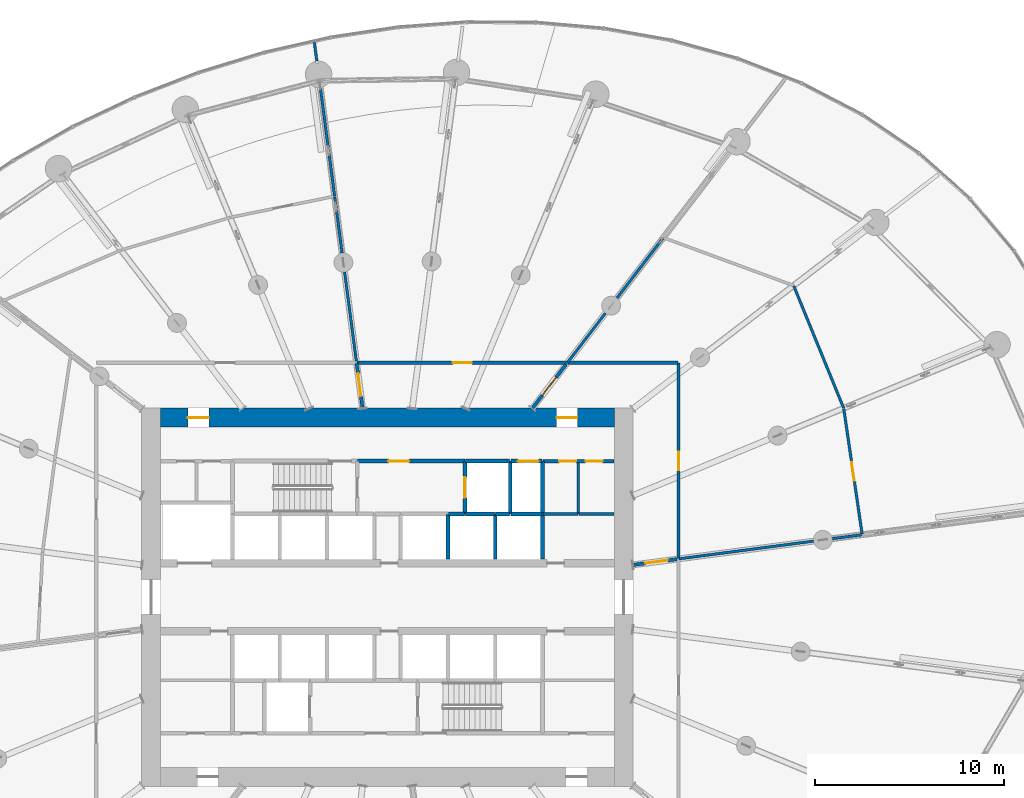
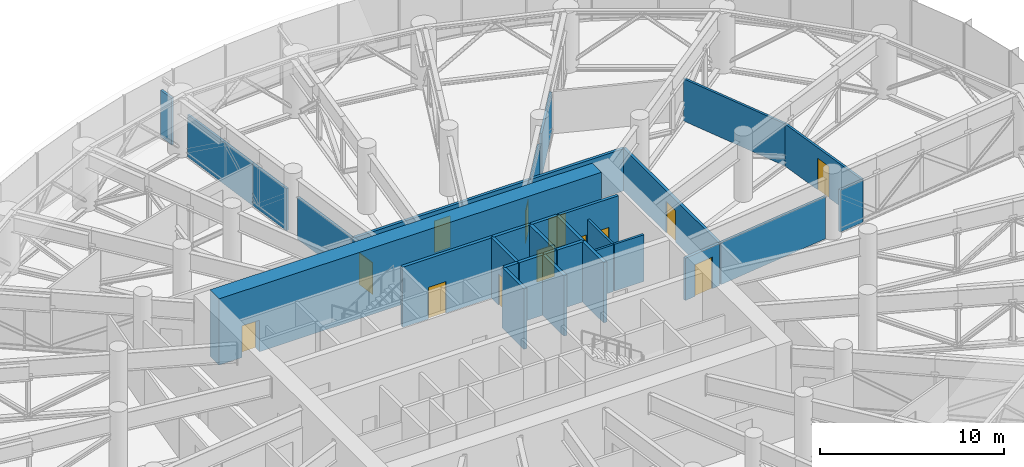
# One storey, part 24 of 42: 34 walls, 13 doors, 13 openings.
"""IFC4 building model written with IfcOpenShell, lengths in metres."""

import ifcopenshell
import ifcopenshell.guid

model = None  # the IFC model being written
_history = None  # IfcOwnerHistory: only IFC2X3 demands one
_inside = {}  # id of a spatial element -> (the spatial element, [elements in it])
_under = {}  # id of a project, library or spatial element -> (it, [spatial elements below it])
_declared = {}  # id of a project -> (the project, [libraries it declares])
_typed = {}  # id of a type object -> (the type object, [elements of that type])
_made_of = {}  # id of a material, layer set ... -> (it, [elements and type objects made of it])


def new_model(schema):
    """Start an empty IFC model of exactly this schema.

    Asked for "IFC4X3", IfcOpenShell would pick the latest addendum, in which some entities
    have other attributes; the version numbers below select the first issue.
    IFC2X3 requires an IfcOwnerHistory on every rooted entity: one is made here for all.
    """
    global model, _history
    if schema == "IFC4X3":
        model = ifcopenshell.file(schema_version=(4, 3, 0, 0))
    else:
        model = ifcopenshell.file(schema=schema)
    _inside.clear()
    _under.clear()
    _declared.clear()
    _typed.clear()
    _made_of.clear()
    _history = None
    if model.schema == "IFC2X3":
        org = make("IfcOrganization", Name="unknown")
        user = make(
            "IfcPersonAndOrganization",
            ThePerson=make("IfcPerson", FamilyName="unknown"),
            TheOrganization=org,
        )
        app = make(
            "IfcApplication",
            ApplicationDeveloper=org,
            Version="unknown",
            ApplicationFullName="unknown",
            ApplicationIdentifier="unknown",
        )
        _history = make(
            "IfcOwnerHistory",
            OwningUser=user,
            OwningApplication=app,
            ChangeAction="ADDED",
            CreationDate=0,
        )
    return model


def make(cls, **values):
    """One entity of the class cls with the attributes given. An attribute that is None is left unset."""
    return model.create_entity(
        cls, **{name: value for name, value in values.items() if value is not None}
    )


def rooted(cls, **values):
    """An entity with a GlobalId (a new one), such as an element, a storey or a relation."""
    return make(cls, GlobalId=ifcopenshell.guid.new(), OwnerHistory=_history, **values)


def si_unit(unit_type, name, prefix=None):
    """IfcSIUnit, for example si_unit("LENGTHUNIT", "METRE", prefix="MILLI")."""
    return make("IfcSIUnit", UnitType=unit_type, Prefix=prefix, Name=name)


def assignment(units):
    """IfcUnitAssignment: the units of a project."""
    return None if units is None else make("IfcUnitAssignment", Units=units)


def point(xyz):
    """IfcCartesianPoint."""
    return None if xyz is None else make("IfcCartesianPoint", Coordinates=xyz)


def direction(xyz):
    """IfcDirection."""
    return None if xyz is None else make("IfcDirection", DirectionRatios=xyz)


def frame(location, z_axis=None, x_axis=None):
    """IfcAxis2Placement3D, a coordinate frame: its origin and axes. An axis left out is left unset."""
    return make(
        "IfcAxis2Placement3D",
        Location=point(location),
        Axis=direction(z_axis),
        RefDirection=direction(x_axis),
    )


def frame_2d(location, x_axis=None):
    """IfcAxis2Placement2D, a coordinate frame in the plane: its origin and x axis."""
    return make(
        "IfcAxis2Placement2D", Location=point(location), RefDirection=direction(x_axis)
    )


def origin():
    """The frame at (0, 0, 0) with its axes left unset."""
    return frame((0.0, 0.0, 0.0))


def place(relative_to, where):
    """IfcLocalPlacement: puts the frame where relative to a parent placement (None: the world)."""
    return make(
        "IfcLocalPlacement", PlacementRelTo=relative_to, RelativePlacement=where
    )


def context(
    kind, dimensions, precision=None, world=None, true_north=None, identifier=None
):
    """IfcGeometricRepresentationContext, for example the 3D "Model" context."""
    return make(
        "IfcGeometricRepresentationContext",
        ContextIdentifier=identifier,
        ContextType=kind,
        CoordinateSpaceDimension=dimensions,
        Precision=precision,
        WorldCoordinateSystem=world,
        TrueNorth=true_north,
    )


def subcontext(parent, identifier, kind, view, scale=None):
    """IfcGeometricRepresentationSubContext, for example "Body" below "Model"."""
    return make(
        "IfcGeometricRepresentationSubContext",
        ContextIdentifier=identifier,
        ContextType=kind,
        ParentContext=parent,
        TargetScale=scale,
        TargetView=view,
    )


def project(units=None, contexts=None):
    """IfcProject with its units and contexts."""
    return rooted(
        "IfcProject",
        Name="project",
        RepresentationContexts=contexts,
        UnitsInContext=assignment(units),
    )


def spatial(cls, under=None, at=None, **own):
    """A site, building, storey or space (cls), placed at a placement, below another one or the project."""
    s = rooted(cls, ObjectPlacement=at, **own)
    if under is not None:
        _under.setdefault(under.id(), (under, []))[1].append(s)
    return s


def profile(cls, at=None, kind="AREA", **sizes):
    """A parametric profile (cls). Its sizes go by their IFC names, for example OverallWidth=200.0."""
    return make(cls, ProfileType=kind, Position=at, **sizes)


def rectangle(**sizes):
    """IfcRectangleProfileDef."""
    return profile("IfcRectangleProfileDef", **sizes)


def extrude(swept, where, along, depth):
    """IfcExtrudedAreaSolid: the profile swept, set in the frame where, extruded along a direction by depth."""
    return make(
        "IfcExtrudedAreaSolid",
        SweptArea=swept,
        Position=where,
        ExtrudedDirection=direction(along),
        Depth=depth,
    )


def shape(context_of_items, identifier, shape_type, items):
    """IfcShapeRepresentation: the items that make up one representation, for example the "Body"."""
    return make(
        "IfcShapeRepresentation",
        ContextOfItems=context_of_items,
        RepresentationIdentifier=identifier,
        RepresentationType=shape_type,
        Items=items,
    )


def source(mapping_origin, context_of_items, identifier, shape_type, items):
    """IfcRepresentationMap: a shape defined once, which mapped items show again and again."""
    return make(
        "IfcRepresentationMap",
        MappingOrigin=mapping_origin,
        MappedRepresentation=shape(context_of_items, identifier, shape_type, items),
    )


def transform(
    local_origin,
    x_axis=None,
    y_axis=None,
    z_axis=None,
    scale=None,
    scale2=None,
    scale3=None,
    uniform=True,
):
    """IfcCartesianTransformationOperator3D, or its non-uniform kind. x_axis, y_axis, z_axis: its Axis1, 2, 3."""
    if uniform:
        return make(
            "IfcCartesianTransformationOperator3D",
            Axis1=direction(x_axis),
            Axis2=direction(y_axis),
            LocalOrigin=point(local_origin),
            Scale=scale,
            Axis3=direction(z_axis),
        )
    return make(
        "IfcCartesianTransformationOperator3DnonUniform",
        Axis1=direction(x_axis),
        Axis2=direction(y_axis),
        LocalOrigin=point(local_origin),
        Scale=scale,
        Axis3=direction(z_axis),
        Scale2=scale2,
        Scale3=scale3,
    )


def mapped(mapping_source, mapping_target):
    """IfcMappedItem: shows the shape of a source again, moved by a transform."""
    return make(
        "IfcMappedItem", MappingSource=mapping_source, MappingTarget=mapping_target
    )


def material(Name=None, Category=None):
    """IfcMaterial."""
    return make("IfcMaterial", Name=Name, Category=Category)


def layer(
    of_material, thickness, ventilated=None, Name=None, Category=None, Priority=None
):
    """IfcMaterialLayer: one layer of a wall or slab, of a material (None: an air gap)."""
    return make(
        "IfcMaterialLayer",
        Material=of_material,
        LayerThickness=thickness,
        IsVentilated=ventilated,
        Name=Name,
        Category=Category,
        Priority=Priority,
    )


def layer_set(layers, Name=None):
    """IfcMaterialLayerSet."""
    return make("IfcMaterialLayerSet", MaterialLayers=layers, LayerSetName=Name)


def made_of(thing, what):
    """Note that an element or type object is made of a material, layer set ...; save() writes the relation."""
    if what is not None:
        _made_of.setdefault(what.id(), (what, []))[1].append(thing)
    return thing


def type_object(cls, material=None, **own):
    """A type object (cls), such as IfcWallType, which elements share."""
    return made_of(rooted(cls, **own), material)


def element(
    cls,
    number,
    at=None,
    inside=None,
    cuts=None,
    type_object=None,
    material=None,
    context=None,
    identifier="Body",
    shape_type=None,
    held_by="IfcProductDefinitionShape",
    body=None,
    shapes=None,
    **own,
):
    """One element of the class cls, such as IfcWall. Its Tag is "e" and its number.

    at: its placement. inside: the storey or other place that contains it. cuts: it is an
    opening in that element (IfcRelVoidsElement). A single representation is given by context,
    identifier, shape_type and body (its items); several are given by shapes. held_by: the class
    of the entity that holds the representations. save() writes the other relations.
    """
    e = rooted(cls, Tag="e%d" % number, ObjectPlacement=at, **own)
    if body is not None:
        shapes = [shape(context, identifier, shape_type, body)]
    if shapes is not None:
        e.Representation = make(held_by, Representations=shapes)
    if inside is not None:
        _inside.setdefault(inside.id(), (inside, []))[1].append(e)
    if cuts is not None:
        rooted(
            "IfcRelVoidsElement", RelatingBuildingElement=cuts, RelatedOpeningElement=e
        )
    if type_object is not None:
        _typed.setdefault(type_object.id(), (type_object, []))[1].append(e)
    return made_of(e, material)


def fill(opening, filler):
    """IfcRelFillsElement: the door or window that sits in an opening."""
    return rooted(
        "IfcRelFillsElement",
        RelatingOpeningElement=opening,
        RelatedBuildingElement=filler,
    )


def aggregate(whole, parts):
    """IfcRelAggregates: a whole, such as a stair, and the parts it consists of."""
    return rooted("IfcRelAggregates", RelatingObject=whole, RelatedObjects=parts)


def save(model, path):
    """Write the relations noted so far, then the file.

    IfcRelAggregates (storeys below a building ...), IfcRelContainedInSpatialStructure (elements
    in a storey), IfcRelDefinesByType, IfcRelAssociatesMaterial and IfcRelDeclares: one each for
    every whole, place, type object, material and project.
    """
    for whole, parts in _under.values():
        aggregate(whole, parts)
    for where, things in _inside.values():
        rooted(
            "IfcRelContainedInSpatialStructure",
            RelatedElements=things,
            RelatingStructure=where,
        )
    for kind, things in _typed.values():
        rooted("IfcRelDefinesByType", RelatedObjects=things, RelatingType=kind)
    for what, things in _made_of.values():
        rooted("IfcRelAssociatesMaterial", RelatedObjects=things, RelatingMaterial=what)
    for by, libraries in _declared.values():
        rooted("IfcRelDeclares", RelatingContext=by, RelatedDefinitions=libraries)
    model.write(path)


model = new_model("IFC4")

# Units and contexts
model_context = context("Model", 3, precision=1e-05, world=origin(), true_north=direction((0.0, 1.0)))
body_context = subcontext(model_context, "Body", "Model", "MODEL_VIEW")
ifc_project = project(units=[si_unit("LENGTHUNIT", "METRE"), si_unit("AREAUNIT", "SQUARE_METRE"), si_unit("VOLUMEUNIT", "CUBIC_METRE"), si_unit("PLANEANGLEUNIT", "RADIAN"), si_unit("MASSUNIT", "GRAM", prefix="KILO")], contexts=[model_context])

# Site, building, storey
site_placement = place(None, origin())
site = spatial("IfcSite", under=ifc_project, at=site_placement, CompositionType="ELEMENT")
building_placement = place(site_placement, origin())
building = spatial("IfcBuilding", under=site, at=building_placement, Name="Spindrift Exchange Tower", CompositionType="ELEMENT")
storey_placement = place(building_placement, frame((0.0, 0.0, 75.39990234375)))
storey = spatial("IfcBuildingStorey", under=building, at=storey_placement, Name="L17", CompositionType="ELEMENT", Elevation=75.39990234375)

# Wall, openings, doors
ifc_material_1 = material(Name="Concrete 80 MPa", Category="concrete")
ifc_layer_1 = layer(ifc_material_1, 1.0)
ifc_layer_set_1 = layer_set([ifc_layer_1], Name="RC Core Wall 1000 Concrete 80 MPa")
wall_type_1 = type_object("IfcWallType", Name="RC Core Wall 1000 Concrete 80 MPa", PredefinedType="SHEAR", material=ifc_layer_set_1)
wall_1_placement = place(storey_placement, frame((64.0, 57.5, 0.0), z_axis=(0.0, 0.0, 1.0), x_axis=(-1.0, 0.0, 0.0)))
wall_1 = element("IfcWall", 1, at=wall_1_placement, inside=storey, type_object=wall_type_1, Name="Core wall N L17", PredefinedType="SHEAR", context=body_context, shape_type="SweptSolid", body=[
    extrude(rectangle(XDim=24.0, YDim=1.0, at=frame_2d((12.0, 0.0))), origin(), (0.0, 0.0, 1.0), 4.400146484375),
])
opening_1_placement = place(wall_1_placement, frame((21.449951171875, 0.0, 0.0)))
opening_1 = element("IfcOpeningElement", 2, at=opening_1_placement, cuts=wall_1, Name="Opening L17-D14", PredefinedType="OPENING", context=body_context, shape_type="SweptSolid", body=[
    extrude(rectangle(XDim=1.10009765625, YDim=2.10009765625, at=frame_2d((0.550048828125, 1.050048828125))), frame((0.0, 0.510009765625, 0.0), z_axis=(0.0, -1.0, 0.0), x_axis=(1.0, 0.0, 0.0)), (0.0, 0.0, 1.0), 1.02001953125),
])
opening_2_placement = place(wall_1_placement, frame((1.949951171875, 0.0, 0.0)))
opening_2 = element("IfcOpeningElement", 3, at=opening_2_placement, cuts=wall_1, Name="Opening L17-D15", PredefinedType="OPENING", context=body_context, shape_type="SweptSolid", body=[
    extrude(rectangle(XDim=1.10009765625, YDim=2.10009765625, at=frame_2d((0.550048828125, 1.050048828125))), frame((0.0, 0.510009765625, 0.0), z_axis=(0.0, -1.0, 0.0), x_axis=(1.0, 0.0, 0.0)), (0.0, 0.0, 1.0), 1.02001953125),
])
ifc_material_2 = material(Name="Steel fire door", Category="steel")
door_type_1 = type_object("IfcDoorType", Name="DR-STAIR-1100", OperationType="NOTDEFINED", PredefinedType="DOOR", material=ifc_material_2)
shared_shape_1 = source(origin(), body_context, "Body", "SweptSolid", [
    extrude(rectangle(XDim=1.10009765625, YDim=2.10009765625, at=frame_2d((0.550048828125, 1.050048828125))), frame((0.0, 0.02490234375, 0.0), z_axis=(0.0, -1.0, 0.0), x_axis=(1.0, 0.0, 0.0)), (0.0, 0.0, 1.0), 0.050048828125),
])
door_1_placement = place(opening_1_placement, origin())
door_1 = element("IfcDoor", 4, at=door_1_placement, inside=storey, type_object=door_type_1, Name="L17 Stair door 14", OperationType="SINGLE_SWING_LEFT", OverallHeight=2.10009765625, OverallWidth=1.10009765625, PredefinedType="DOOR", context=body_context, shape_type="MappedRepresentation", body=[
    mapped(shared_shape_1, transform((0.0, 0.0, 0.0), scale=1.0)),
])
fill(opening_1, door_1)
door_2_placement = place(opening_2_placement, origin())
door_2 = element("IfcDoor", 5, at=door_2_placement, inside=storey, type_object=door_type_1, Name="L17 Stair door 15", OperationType="SINGLE_SWING_RIGHT", OverallHeight=2.10009765625, OverallWidth=1.10009765625, PredefinedType="DOOR", context=body_context, shape_type="MappedRepresentation", body=[
    mapped(shared_shape_1, transform((0.0, 0.0, 0.0), scale=1.0)),
])
fill(opening_2, door_2)

ifc_material_3 = material(Name="Fire-rated plasterboard partition", Category="gypsum")
ifc_layer_2 = layer(ifc_material_3, 0.179931640625)
ifc_layer_set_2 = layer_set([ifc_layer_2], Name="W-CORR-180")
wall_type_2 = type_object("IfcWallType", Name="W-CORR-180", PredefinedType="PARTITIONING", material=ifc_layer_set_2)
wall_2_placement = place(storey_placement, frame((63.97998046875, 55.199951171875, 0.0), z_axis=(0.0, 0.0, 1.0), x_axis=(-1.0, 0.0, 0.0)))
wall_2 = element("IfcWall", 6, at=wall_2_placement, inside=storey, type_object=wall_type_2, Name="L17 Partition wall 70", PredefinedType="PARTITIONING", context=body_context, shape_type="SweptSolid", body=[
    extrude(rectangle(XDim=3.75, YDim=0.179931640625, at=frame_2d((1.875, 0.0))), origin(), (0.0, 0.0, 1.0), 4.0),
])
opening_3_placement = place(wall_2_placement, frame((2.0, 0.0, 0.0)))
opening_3 = element("IfcOpeningElement", 7, at=opening_3_placement, cuts=wall_2, Name="Opening L17-D45", PredefinedType="OPENING", context=body_context, shape_type="SweptSolid", body=[
    extrude(rectangle(XDim=0.89990234375, YDim=2.10009765625, at=frame_2d((0.449951171875, 1.050048828125))), frame((0.0, 0.099853515625, 0.0), z_axis=(0.0, -1.0, 0.0), x_axis=(1.0, 0.0, 0.0)), (0.0, 0.0, 1.0), 0.199951171875),
])
opening_4_placement = place(wall_2_placement, frame((0.60009765625, 0.0, 0.0)))
opening_4 = element("IfcOpeningElement", 8, at=opening_4_placement, cuts=wall_2, Name="Opening L17-D46", PredefinedType="OPENING", context=body_context, shape_type="SweptSolid", body=[
    extrude(rectangle(XDim=0.89990234375, YDim=2.10009765625, at=frame_2d((0.449951171875, 1.050048828125))), frame((0.0, 0.099853515625, 0.0), z_axis=(0.0, -1.0, 0.0), x_axis=(1.0, 0.0, 0.0)), (0.0, 0.0, 1.0), 0.199951171875),
])
ifc_material_4 = material(Name="Steel access door", Category="steel")
door_type_2 = type_object("IfcDoorType", Name="DR-RISER-900", OperationType="NOTDEFINED", PredefinedType="DOOR", material=ifc_material_4)
shared_shape_2 = source(origin(), body_context, "Body", "SweptSolid", [
    extrude(rectangle(XDim=0.89990234375, YDim=2.10009765625, at=frame_2d((0.449951171875, 1.050048828125))), frame((0.0, 0.02490234375, 0.0), z_axis=(0.0, -1.0, 0.0), x_axis=(1.0, 0.0, 0.0)), (0.0, 0.0, 1.0), 0.050048828125),
])
door_3_placement = place(opening_3_placement, origin())
door_3 = element("IfcDoor", 9, at=door_3_placement, inside=storey, type_object=door_type_2, Name="L17 Riser door 45", OperationType="SINGLE_SWING_RIGHT", OverallHeight=2.10009765625, OverallWidth=0.89990234375, PredefinedType="DOOR", context=body_context, shape_type="MappedRepresentation", body=[
    mapped(shared_shape_2, transform((0.0, 0.0, 0.0), scale=1.0)),
])
fill(opening_3, door_3)
door_4_placement = place(opening_4_placement, origin())
door_4 = element("IfcDoor", 10, at=door_4_placement, inside=storey, type_object=door_type_2, Name="L17 Riser door 46", OperationType="SINGLE_SWING_LEFT", OverallHeight=2.10009765625, OverallWidth=0.89990234375, PredefinedType="DOOR", context=body_context, shape_type="MappedRepresentation", body=[
    mapped(shared_shape_2, transform((0.0, 0.0, 0.0), scale=1.0)),
])
fill(opening_4, door_4)

# Wall, opening, door
ifc_layer_3 = layer(ifc_material_3, 0.179931640625)
ifc_layer_set_3 = layer_set([ifc_layer_3], Name="W-CORR-180-SOFFIT")
wall_type_3 = type_object("IfcWallType", Name="W-CORR-180-SOFFIT", PredefinedType="PARTITIONING", material=ifc_layer_set_3)
wall_3_placement = place(storey_placement, frame((61.44580078125, 60.31005859375, 0.0), z_axis=(0.0, 0.0, 1.0), x_axis=(-0.608737787706, -0.793371480341, 0.0)))
wall_3 = element("IfcWall", 11, at=wall_3_placement, inside=storey, type_object=wall_type_3, Name="L17 Partition wall 72", PredefinedType="PARTITIONING", context=body_context, shape_type="SweptSolid", body=[
    extrude(rectangle(XDim=2.91162109375, YDim=0.179931640625, at=frame_2d((1.455810546875, 0.0))), origin(), (0.0, 0.0, 1.0), 2.800048828125),
])
opening_5_placement = place(wall_3_placement, frame((0.86181640625, 0.0, 0.0)))
opening_5 = element("IfcOpeningElement", 12, at=opening_5_placement, cuts=wall_3, Name="Opening L17-D32", PredefinedType="OPENING", context=body_context, shape_type="SweptSolid", body=[
    extrude(rectangle(XDim=1.199951171875, YDim=2.10009765625, at=frame_2d((0.60009765625, 1.050048828125))), frame((0.0, 0.099853515625, 0.0), z_axis=(0.0, -1.0, 0.0), x_axis=(1.0, 0.0, 0.0)), (0.0, 0.0, 1.0), 0.199951171875),
])
door_type_3 = type_object("IfcDoorType", Name="DR-PLANT-1200", OperationType="NOTDEFINED", PredefinedType="DOOR", material=ifc_material_2)
shared_shape_3 = source(origin(), body_context, "Body", "SweptSolid", [
    extrude(rectangle(XDim=1.199951171875, YDim=2.10009765625, at=frame_2d((0.60009765625, 1.050048828125))), frame((0.0, 0.02490234375, 0.0), z_axis=(0.0, -1.0, 0.0), x_axis=(1.0, 0.0, 0.0)), (0.0, 0.0, 1.0), 0.050048828125),
])
door_5_placement = place(opening_5_placement, origin())
door_5 = element("IfcDoor", 13, at=door_5_placement, inside=storey, type_object=door_type_3, Name="L17 Plant room door 32", OperationType="SINGLE_SWING_LEFT", OverallHeight=2.10009765625, OverallWidth=1.199951171875, PredefinedType="DOOR", context=body_context, shape_type="MappedRepresentation", body=[
    mapped(shared_shape_3, transform((0.0, 0.0, 0.0), scale=1.0)),
])
fill(opening_5, door_5)

wall_4_placement = place(storey_placement, frame((67.31005859375, 50.015625, 0.0), z_axis=(0.0, 0.0, 1.0), x_axis=(-0.991440737811, -0.130557509967, 0.0)))
wall_4 = element("IfcWall", 14, at=wall_4_placement, inside=storey, type_object=wall_type_3, Name="L17 Partition wall 73", PredefinedType="PARTITIONING", context=body_context, shape_type="SweptSolid", body=[
    extrude(rectangle(XDim=2.330078125, YDim=0.179931640625, at=frame_2d((1.1650390625, 0.0))), origin(), (0.0, 0.0, 1.0), 2.800048828125),
])
opening_6_placement = place(wall_4_placement, frame((0.47998046875, 0.0, 0.0)))
opening_6 = element("IfcOpeningElement", 15, at=opening_6_placement, cuts=wall_4, Name="Opening L17-D39", PredefinedType="OPENING", context=body_context, shape_type="SweptSolid", body=[
    extrude(rectangle(XDim=1.199951171875, YDim=2.10009765625, at=frame_2d((0.60009765625, 1.050048828125))), frame((0.0, 0.099853515625, 0.0), z_axis=(0.0, -1.0, 0.0), x_axis=(1.0, 0.0, 0.0)), (0.0, 0.0, 1.0), 0.199951171875),
])
door_6_placement = place(opening_6_placement, origin())
door_6 = element("IfcDoor", 16, at=door_6_placement, inside=storey, type_object=door_type_3, Name="L17 Plant room door 39", OperationType="SINGLE_SWING_RIGHT", OverallHeight=2.10009765625, OverallWidth=1.199951171875, PredefinedType="DOOR", context=body_context, shape_type="MappedRepresentation", body=[
    mapped(shared_shape_3, transform((0.0, 0.0, 0.0), scale=1.0)),
])
fill(opening_6, door_6)

wall_5_placement = place(storey_placement, frame((50.371337890625, 60.370361328125, 0.0), z_axis=(0.0, 0.0, 1.0), x_axis=(0.13060507681, -0.991434472828, 0.0)))
wall_5 = element("IfcWall", 17, at=wall_5_placement, inside=storey, type_object=wall_type_3, Name="L17 Partition wall 75", PredefinedType="PARTITIONING", context=body_context, shape_type="SweptSolid", body=[
    extrude(rectangle(XDim=2.390869140625, YDim=0.179931640625, at=frame_2d((1.1953125, 0.0))), origin(), (0.0, 0.0, 1.0), 2.800048828125),
])
opening_7_placement = place(wall_5_placement, frame((0.540771484375, 0.0, 0.0)))
opening_7 = element("IfcOpeningElement", 18, at=opening_7_placement, cuts=wall_5, Name="Opening L17-D33", PredefinedType="OPENING", context=body_context, shape_type="SweptSolid", body=[
    extrude(rectangle(XDim=1.199951171875, YDim=2.10009765625, at=frame_2d((0.60009765625, 1.050048828125))), frame((0.0, 0.099853515625, 0.0), z_axis=(0.0, -1.0, 0.0), x_axis=(1.0, 0.0, 0.0)), (0.0, 0.0, 1.0), 0.199951171875),
])
door_7_placement = place(opening_7_placement, origin())
door_7 = element("IfcDoor", 19, at=door_7_placement, inside=storey, type_object=door_type_3, Name="L17 Plant room door 33", OperationType="SINGLE_SWING_RIGHT", OverallHeight=2.10009765625, OverallWidth=1.199951171875, PredefinedType="DOOR", context=body_context, shape_type="MappedRepresentation", body=[
    mapped(shared_shape_3, transform((0.0, 0.0, 0.0), scale=1.0)),
])
fill(opening_7, door_7)

# Walls
ifc_layer_4 = layer(ifc_material_3, 0.139892578125)
ifc_layer_set_4 = layer_set([ifc_layer_4], Name="W-PART-140")
wall_type_4 = type_object("IfcWallType", Name="W-PART-140", PredefinedType="PARTITIONING", material=ifc_layer_set_4)
wall_6_placement = place(storey_placement, frame((62.10009765625, 52.39990234375, 0.0), z_axis=(0.0, 0.0, 1.0), x_axis=(0.0, 1.0, 0.0)))
element("IfcWall", 20, at=wall_6_placement, inside=storey, type_object=wall_type_4, Name="L17 Partition wall 119", PredefinedType="PARTITIONING", context=body_context, shape_type="SweptSolid", body=[
    extrude(rectangle(XDim=2.710205078125, YDim=0.139892578125, at=frame_2d((1.35498046875, 0.0))), origin(), (0.0, 0.0, 1.0), 3.10009765625),
])
wall_7_placement = place(storey_placement, frame((62.070068359375, 52.39990234375, 0.0), z_axis=(0.0, 0.0, 1.0), x_axis=(-1.0, 0.0, 0.0)))
element("IfcWall", 21, at=wall_7_placement, inside=storey, type_object=wall_type_4, Name="L17 Partition wall 125", PredefinedType="PARTITIONING", context=body_context, shape_type="SweptSolid", body=[
    extrude(rectangle(XDim=1.840087890625, YDim=0.139892578125, at=frame_2d((0.919921875, 0.0))), origin(), (0.0, 0.0, 1.0), 3.10009765625),
])
wall_8_placement = place(storey_placement, frame((63.97998046875, 52.39990234375, 0.0), z_axis=(0.0, 0.0, 1.0), x_axis=(-1.0, 0.0, 0.0)))
element("IfcWall", 22, at=wall_8_placement, inside=storey, type_object=wall_type_4, Name="L17 Partition wall 126", PredefinedType="PARTITIONING", context=body_context, shape_type="SweptSolid", body=[
    extrude(rectangle(XDim=1.85009765625, YDim=0.139892578125, at=frame_2d((0.925048828125, 0.0))), origin(), (0.0, 0.0, 1.0), 3.10009765625),
])
ifc_layer_5 = layer(ifc_material_3, 0.139892578125)
ifc_layer_set_5 = layer_set([ifc_layer_5], Name="W-PLANT-140")
wall_type_5 = type_object("IfcWallType", Name="W-PLANT-140", PredefinedType="PARTITIONING", material=ifc_layer_set_5)
wall_9_placement = place(storey_placement, frame((48.266357421875, 76.359619140625, 0.0), z_axis=(0.0, 0.0, 1.0), x_axis=(-0.13062697631, 0.991431587685, 0.0)))
element("IfcWall", 23, at=wall_9_placement, inside=storey, type_object=wall_type_5, Name="L17 Partition wall 131", PredefinedType="PARTITIONING", context=body_context, shape_type="SweptSolid", body=[
    extrude(rectangle(XDim=0.98876953125, YDim=0.139892578125, at=frame_2d((0.494384765625, 0.0))), origin(), (0.0, 0.0, 1.0), 3.10009765625),
])
ifc_layer_6 = layer(ifc_material_3, 0.139892578125)
ifc_layer_set_6 = layer_set([ifc_layer_6], Name="W-PLANT-140-SOFFIT")
wall_type_6 = type_object("IfcWallType", Name="W-PLANT-140-SOFFIT", PredefinedType="PARTITIONING", material=ifc_layer_set_6)
wall_10_placement = place(storey_placement, frame((67.4296875, 50.031494140625, 0.0), z_axis=(0.0, 0.0, 1.0), x_axis=(0.991448495935, 0.130498582014, 0.0)))
element("IfcWall", 24, at=wall_10_placement, inside=storey, type_object=wall_type_6, Name="L17 Partition wall 83", PredefinedType="PARTITIONING", context=body_context, shape_type="SweptSolid", body=[
    extrude(rectangle(XDim=7.165283203125, YDim=0.139892578125, at=frame_2d((3.58251953125, 0.0))), origin(), (0.0, 0.0, 1.0), 2.800048828125),
])
wall_11_placement = place(storey_placement, frame((76.13623046875, 57.99755859375, 0.0), z_axis=(0.0, 0.0, 1.0), x_axis=(-0.377966751533, 0.925819169566, 0.0)))
element("IfcWall", 25, at=wall_11_placement, inside=storey, type_object=wall_type_6, Name="L17 Partition wall 85", PredefinedType="PARTITIONING", context=body_context, shape_type="SweptSolid", body=[
    extrude(rectangle(XDim=6.97998046875, YDim=0.139892578125, at=frame_2d((3.489990234375, 0.0))), origin(), (0.0, 0.0, 1.0), 2.800048828125),
])

# Wall, opening, door
wall_12_placement = place(storey_placement, frame((76.140625, 57.968017578125, 0.0), z_axis=(0.0, 0.0, 1.0), x_axis=(0.144720027083, -0.989472644271, 0.0)))
wall_12 = element("IfcWall", 26, at=wall_12_placement, inside=storey, type_object=wall_type_6, Name="L17 Partition wall 88", PredefinedType="PARTITIONING", context=body_context, shape_type="SweptSolid", body=[
    extrude(rectangle(XDim=6.702392578125, YDim=0.139892578125, at=frame_2d((3.35107421875, 0.0))), origin(), (0.0, 0.0, 1.0), 2.800048828125),
])
opening_8_placement = place(wall_12_placement, frame((2.852294921875, 0.0, 0.0)))
opening_8 = element("IfcOpeningElement", 27, at=opening_8_placement, cuts=wall_12, Name="Opening L17-D19", PredefinedType="OPENING", context=body_context, shape_type="SweptSolid", body=[
    extrude(rectangle(XDim=1.0, YDim=2.10009765625, at=frame_2d((0.5, 1.050048828125))), frame((0.0, 0.079833984375, 0.0), z_axis=(0.0, -1.0, 0.0), x_axis=(1.0, 0.0, 0.0)), (0.0, 0.0, 1.0), 0.159912109375),
])
ifc_material_5 = material(Name="Timber-core fire door", Category="wood")
door_type_4 = type_object("IfcDoorType", Name="DR-ROOM-1000", OperationType="NOTDEFINED", PredefinedType="DOOR", material=ifc_material_5)
shared_shape_4 = source(origin(), body_context, "Body", "SweptSolid", [
    extrude(rectangle(XDim=1.0, YDim=2.10009765625, at=frame_2d((0.5, 1.050048828125))), frame((0.0, 0.02490234375, 0.0), z_axis=(0.0, -1.0, 0.0), x_axis=(1.0, 0.0, 0.0)), (0.0, 0.0, 1.0), 0.050048828125),
])
door_8_placement = place(opening_8_placement, origin())
door_8 = element("IfcDoor", 28, at=door_8_placement, inside=storey, type_object=door_type_4, Name="L17 Door 19", OperationType="SINGLE_SWING_RIGHT", OverallHeight=2.10009765625, OverallWidth=1.0, PredefinedType="DOOR", context=body_context, shape_type="MappedRepresentation", body=[
    mapped(shared_shape_4, transform((0.0, 0.0, 0.0), scale=1.0)),
])
fill(opening_8, door_8)

# Walls
wall_13_placement = place(storey_placement, frame((49.207763671875, 69.208740234375, 0.0), z_axis=(0.0, 0.0, 1.0), x_axis=(-0.130524150985, 0.991445130105, 0.0)))
element("IfcWall", 29, at=wall_13_placement, inside=storey, type_object=wall_type_6, Name="L17 Partition wall 92", PredefinedType="PARTITIONING", context=body_context, shape_type="SweptSolid", body=[
    extrude(rectangle(XDim=5.803955078125, YDim=0.139892578125, at=frame_2d((2.90185546875, 0.0))), origin(), (0.0, 0.0, 1.0), 2.800048828125),
])
wall_14_placement = place(storey_placement, frame((50.355712890625, 60.489990234375, 0.0), z_axis=(0.0, 0.0, 1.0), x_axis=(-0.130548834981, 0.991441880135, 0.0)))
element("IfcWall", 30, at=wall_14_placement, inside=storey, type_object=wall_type_6, Name="L17 Partition wall 102", PredefinedType="PARTITIONING", context=body_context, shape_type="SweptSolid", body=[
    extrude(rectangle(XDim=4.75390625, YDim=0.139892578125, at=frame_2d((2.376953125, 0.0))), origin(), (0.0, 0.0, 1.0), 2.800048828125),
])
wall_15_placement = place(storey_placement, frame((64.14208984375, 63.823974609375, 0.0), z_axis=(0.0, 0.0, 1.0), x_axis=(0.608766057901, 0.793349788396, 0.0)))
element("IfcWall", 31, at=wall_15_placement, inside=storey, type_object=wall_type_6, Name="L17 Partition wall 109", PredefinedType="PARTITIONING", context=body_context, shape_type="SweptSolid", body=[
    extrude(rectangle(XDim=3.998291015625, YDim=0.139892578125, at=frame_2d((1.9990234375, 0.0))), origin(), (0.0, 0.0, 1.0), 2.800048828125),
])
wall_16_placement = place(storey_placement, frame((61.537109375, 60.428955078125, 0.0), z_axis=(0.0, 0.0, 1.0), x_axis=(0.608754323654, 0.793358792371, 0.0)))
element("IfcWall", 32, at=wall_16_placement, inside=storey, type_object=wall_type_6, Name="L17 Partition wall 116", PredefinedType="PARTITIONING", context=body_context, shape_type="SweptSolid", body=[
    extrude(rectangle(XDim=3.2705078125, YDim=0.139892578125, at=frame_2d((1.63525390625, 0.0))), origin(), (0.0, 0.0, 1.0), 2.800048828125),
])
wall_17_placement = place(storey_placement, frame((49.603515625, 66.203369140625, 0.0), z_axis=(0.0, 0.0, 1.0), x_axis=(-0.13055972401, 0.991440446253, 0.0)))
element("IfcWall", 33, at=wall_17_placement, inside=storey, type_object=wall_type_6, Name="L17 Partition wall 118", PredefinedType="PARTITIONING", context=body_context, shape_type="SweptSolid", body=[
    extrude(rectangle(XDim=3.001220703125, YDim=0.139892578125, at=frame_2d((1.50048828125, 0.0))), origin(), (0.0, 0.0, 1.0), 2.800048828125),
])
wall_18_placement = place(storey_placement, frame((75.533935546875, 51.098388671875, 0.0), z_axis=(0.0, 0.0, 1.0), x_axis=(0.991455357704, 0.130446439887, 0.0)))
element("IfcWall", 34, at=wall_18_placement, inside=storey, type_object=wall_type_6, Name="L17 Partition wall 127", PredefinedType="PARTITIONING", context=body_context, shape_type="SweptSolid", body=[
    extrude(rectangle(XDim=1.564697265625, YDim=0.139892578125, at=frame_2d((0.7822265625, 0.0))), origin(), (0.0, 0.0, 1.0), 2.800048828125),
])

# Wall, opening, door
ifc_layer_7 = layer(ifc_material_3, 0.179931640625)
ifc_layer_set_7 = layer_set([ifc_layer_7], Name="W-PLANT-180-SOFFIT")
wall_type_7 = type_object("IfcWallType", Name="W-PLANT-180-SOFFIT", PredefinedType="PARTITIONING", material=ifc_layer_set_7)
wall_19_placement = place(storey_placement, frame((50.3974609375, 60.39990234375, 0.0), z_axis=(0.0, 0.0, 1.0), x_axis=(1.0, 0.0, 0.0)))
wall_19 = element("IfcWall", 35, at=wall_19_placement, inside=storey, type_object=wall_type_7, Name="L17 Partition wall 62", PredefinedType="PARTITIONING", context=body_context, shape_type="SweptSolid", body=[
    extrude(rectangle(XDim=11.117431640625, YDim=0.179931640625, at=frame_2d((5.55859375, 0.0))), origin(), (0.0, 0.0, 1.0), 2.800048828125),
])
opening_9_placement = place(wall_19_placement, frame((5.0673828125, 0.0, 0.0)))
opening_9 = element("IfcOpeningElement", 36, at=opening_9_placement, cuts=wall_19, Name="Opening L17-D20", PredefinedType="OPENING", context=body_context, shape_type="SweptSolid", body=[
    extrude(rectangle(XDim=1.0, YDim=2.10009765625, at=frame_2d((0.5, 1.050048828125))), frame((0.0, 0.099853515625, 0.0), z_axis=(0.0, -1.0, 0.0), x_axis=(1.0, 0.0, 0.0)), (0.0, 0.0, 1.0), 0.199951171875),
])
door_9_placement = place(opening_9_placement, origin())
door_9 = element("IfcDoor", 37, at=door_9_placement, inside=storey, type_object=door_type_4, Name="L17 Door 20", OperationType="SINGLE_SWING_LEFT", OverallHeight=2.10009765625, OverallWidth=1.0, PredefinedType="DOOR", context=body_context, shape_type="MappedRepresentation", body=[
    mapped(shared_shape_4, transform((0.0, 0.0, 0.0), scale=1.0)),
])
fill(opening_9, door_9)

wall_20_placement = place(storey_placement, frame((67.39990234375, 60.39990234375, 0.0), z_axis=(0.0, 0.0, 1.0), x_axis=(0.0, -1.0, 0.0)))
wall_20 = element("IfcWall", 38, at=wall_20_placement, inside=storey, type_object=wall_type_7, Name="L17 Partition wall 64", PredefinedType="PARTITIONING", context=body_context, shape_type="SweptSolid", body=[
    extrude(rectangle(XDim=10.342529296875, YDim=0.179931640625, at=frame_2d((5.17138671875, 0.0))), origin(), (0.0, 0.0, 1.0), 2.800048828125),
])
opening_10_placement = place(wall_20_placement, frame((4.692626953125, 0.0, 0.0)))
opening_10 = element("IfcOpeningElement", 39, at=opening_10_placement, cuts=wall_20, Name="Opening L17-D18", PredefinedType="OPENING", context=body_context, shape_type="SweptSolid", body=[
    extrude(rectangle(XDim=1.0, YDim=2.10009765625, at=frame_2d((0.5, 1.050048828125))), frame((0.0, 0.099853515625, 0.0), z_axis=(0.0, -1.0, 0.0), x_axis=(1.0, 0.0, 0.0)), (0.0, 0.0, 1.0), 0.199951171875),
])
door_10_placement = place(opening_10_placement, origin())
door_10 = element("IfcDoor", 40, at=door_10_placement, inside=storey, type_object=door_type_4, Name="L17 Door 18", OperationType="SINGLE_SWING_LEFT", OverallHeight=2.10009765625, OverallWidth=1.0, PredefinedType="DOOR", context=body_context, shape_type="MappedRepresentation", body=[
    mapped(shared_shape_4, transform((0.0, 0.0, 0.0), scale=1.0)),
])
fill(opening_10, door_10)

# Wall
wall_21_placement = place(storey_placement, frame((67.3701171875, 60.39990234375, 0.0), z_axis=(0.0, 0.0, 1.0), x_axis=(-1.0, 0.0, 0.0)))
element("IfcWall", 41, at=wall_21_placement, inside=storey, type_object=wall_type_7, Name="L17 Partition wall 65", PredefinedType="PARTITIONING", context=body_context, shape_type="SweptSolid", body=[
    extrude(rectangle(XDim=5.8251953125, YDim=0.179931640625, at=frame_2d((2.91259765625, 0.0))), origin(), (0.0, 0.0, 1.0), 2.800048828125),
])

# Wall, opening, door
ifc_material_6 = material(Name="Concrete 40 MPa", Category="concrete")
ifc_layer_8 = layer(ifc_material_6, 0.199951171875)
ifc_layer_set_8 = layer_set([ifc_layer_8], Name="W-SHAFT-200")
wall_type_8 = type_object("IfcWallType", Name="W-SHAFT-200", PredefinedType="SOLIDWALL", material=ifc_layer_set_8)
wall_22_placement = place(storey_placement, frame((56.10009765625, 55.169921875, 0.0), z_axis=(0.0, 0.0, 1.0), x_axis=(0.0, -1.0, 0.0)))
wall_22 = element("IfcWall", 42, at=wall_22_placement, inside=storey, type_object=wall_type_8, Name="L17 Shaft wall 12", PredefinedType="SOLIDWALL", context=body_context, shape_type="SweptSolid", body=[
    extrude(rectangle(XDim=2.77001953125, YDim=0.199951171875, at=frame_2d((1.385009765625, 0.0))), origin(), (0.0, 0.0, 1.0), 4.0),
])
opening_11_placement = place(wall_22_placement, frame((0.820068359375, 0.0, 0.0)))
opening_11 = element("IfcOpeningElement", 43, at=opening_11_placement, cuts=wall_22, Name="Opening L17-D3", PredefinedType="OPENING", context=body_context, shape_type="SweptSolid", body=[
    extrude(rectangle(XDim=1.10009765625, YDim=2.10009765625, at=frame_2d((0.550048828125, 1.050048828125))), frame((0.0, 0.10986328125, 0.0), z_axis=(0.0, -1.0, 0.0), x_axis=(1.0, 0.0, 0.0)), (0.0, 0.0, 1.0), 0.219970703125),
])
ifc_material_7 = material(Name="Stainless steel landing door", Category="steel")
door_type_5 = type_object("IfcDoorType", Name="DR-LANDING-1100-SL", OperationType="DOUBLE_DOOR_SLIDING", PredefinedType="USERDEFINED", material=ifc_material_7)
shared_shape_5 = source(origin(), body_context, "Body", "SweptSolid", [
    extrude(rectangle(XDim=1.10009765625, YDim=2.10009765625, at=frame_2d((0.550048828125, 1.050048828125))), frame((0.0, 0.02490234375, 0.0), z_axis=(0.0, -1.0, 0.0), x_axis=(1.0, 0.0, 0.0)), (0.0, 0.0, 1.0), 0.050048828125),
])
door_11_placement = place(opening_11_placement, origin())
door_11 = element("IfcDoor", 44, at=door_11_placement, inside=storey, type_object=door_type_5, Name="L17 Lift landing door 3", ObjectType="LANDING DOOR", OperationType="DOUBLE_DOOR_SLIDING", OverallHeight=2.10009765625, OverallWidth=1.10009765625, PredefinedType="USERDEFINED", context=body_context, shape_type="MappedRepresentation", body=[
    mapped(shared_shape_5, transform((0.0, 0.0, 0.0), scale=1.0)),
])
fill(opening_11, door_11)

# Walls
for number, where, z_axis, x_axis, name in (
    (45, (58.5, 52.39990234375, 0.0), (0.0, 0.0, 1.0), (0.0, 1.0, 0.0), "L17 Shaft wall 13"),
    (46, (60.199951171875, 52.39990234375, 0.0), (0.0, 0.0, 1.0), (0.0, 1.0, 0.0), "L17 Shaft wall 14"),
):
    element("IfcWall", number, at=place(storey_placement, frame(where, z_axis=z_axis, x_axis=x_axis)), inside=storey, type_object=wall_type_8, Name=name, PredefinedType="SOLIDWALL", context=body_context, shape_type="SweptSolid", body=[
        extrude(rectangle(XDim=2.800048828125, YDim=0.199951171875, at=frame_2d((1.39990234375, 0.0))), origin(), (0.0, 0.0, 1.0), 4.0),
    ])
wall_23_placement = place(storey_placement, frame((58.469970703125, 55.199951171875, 0.0), z_axis=(0.0, 0.0, 1.0), x_axis=(-1.0, 0.0, 0.0)))
element("IfcWall", 47, at=wall_23_placement, inside=storey, type_object=wall_type_8, Name="L17 Shaft wall 22", PredefinedType="SOLIDWALL", context=body_context, shape_type="SweptSolid", body=[
    extrude(rectangle(XDim=2.340087890625, YDim=0.199951171875, at=frame_2d((1.169921875, 0.0))), origin(), (0.0, 0.0, 1.0), 4.0),
])
wall_24_placement = place(storey_placement, frame((55.199951171875, 50.010009765625, 0.0), z_axis=(0.0, 0.0, 1.0), x_axis=(0.0, 1.0, 0.0)))
element("IfcWall", 48, at=wall_24_placement, inside=storey, type_object=wall_type_8, Name="L17 Shaft wall 34", PredefinedType="SOLIDWALL", context=body_context, shape_type="SweptSolid", body=[
    extrude(rectangle(XDim=2.360107421875, YDim=0.199951171875, at=frame_2d((1.18017578125, 0.0))), origin(), (0.0, 0.0, 1.0), 4.0),
])
wall_25_placement = place(storey_placement, frame((57.699951171875, 50.010009765625, 0.0), z_axis=(0.0, 0.0, 1.0), x_axis=(0.0, 1.0, 0.0)))
element("IfcWall", 49, at=wall_25_placement, inside=storey, type_object=wall_type_8, Name="L17 Shaft wall 36", PredefinedType="SOLIDWALL", context=body_context, shape_type="SweptSolid", body=[
    extrude(rectangle(XDim=2.389892578125, YDim=0.199951171875, at=frame_2d((1.19482421875, 0.0))), origin(), (0.0, 0.0, 1.0), 4.0),
])
wall_26_placement = place(storey_placement, frame((60.199951171875, 50.010009765625, 0.0), z_axis=(0.0, 0.0, 1.0), x_axis=(0.0, 1.0, 0.0)))
element("IfcWall", 50, at=wall_26_placement, inside=storey, type_object=wall_type_8, Name="L17 Shaft wall 38", PredefinedType="SOLIDWALL", context=body_context, shape_type="SweptSolid", body=[
    extrude(rectangle(XDim=2.360107421875, YDim=0.199951171875, at=frame_2d((1.18017578125, 0.0))), origin(), (0.0, 0.0, 1.0), 4.0),
])
wall_27_placement = place(storey_placement, frame((60.169921875, 52.39990234375, 0.0), z_axis=(0.0, 0.0, 1.0), x_axis=(-1.0, 0.0, 0.0)))
element("IfcWall", 51, at=wall_27_placement, inside=storey, type_object=wall_type_8, Name="L17 Shaft wall 42", PredefinedType="SOLIDWALL", context=body_context, shape_type="SweptSolid", body=[
    extrude(rectangle(XDim=1.639892578125, YDim=0.199951171875, at=frame_2d((0.81982421875, 0.0))), origin(), (0.0, 0.0, 1.0), 4.0),
])

# Wall, opening, door
wall_28_placement = place(storey_placement, frame((60.169921875, 55.199951171875, 0.0), z_axis=(0.0, 0.0, 1.0), x_axis=(-1.0, 0.0, 0.0)))
wall_28 = element("IfcWall", 52, at=wall_28_placement, inside=storey, type_object=wall_type_8, Name="L17 Shaft wall 43", PredefinedType="SOLIDWALL", context=body_context, shape_type="SweptSolid", body=[
    extrude(rectangle(XDim=1.639892578125, YDim=0.199951171875, at=frame_2d((0.81982421875, 0.0))), origin(), (0.0, 0.0, 1.0), 4.0),
])
opening_12_placement = place(wall_28_placement, frame((0.169921875, 0.0, 0.0)))
opening_12 = element("IfcOpeningElement", 53, at=opening_12_placement, cuts=wall_28, Name="Opening L17-D5", PredefinedType="OPENING", context=body_context, shape_type="SweptSolid", body=[
    extrude(rectangle(XDim=1.10009765625, YDim=2.10009765625, at=frame_2d((0.550048828125, 1.050048828125))), frame((0.0, 0.10986328125, 0.0), z_axis=(0.0, -1.0, 0.0), x_axis=(1.0, 0.0, 0.0)), (0.0, 0.0, 1.0), 0.219970703125),
])
door_12_placement = place(opening_12_placement, origin())
door_12 = element("IfcDoor", 54, at=door_12_placement, inside=storey, type_object=door_type_5, Name="L17 Lift landing door 5", ObjectType="LANDING DOOR", OperationType="DOUBLE_DOOR_SLIDING", OverallHeight=2.10009765625, OverallWidth=1.10009765625, PredefinedType="USERDEFINED", context=body_context, shape_type="MappedRepresentation", body=[
    mapped(shared_shape_5, transform((0.0, 0.0, 0.0), scale=1.0)),
])
fill(opening_12, door_12)

# Walls
wall_29_placement = place(storey_placement, frame((57.669921875, 52.39990234375, 0.0), z_axis=(0.0, 0.0, 1.0), x_axis=(-1.0, 0.0, 0.0)))
element("IfcWall", 55, at=wall_29_placement, inside=storey, type_object=wall_type_8, Name="L17 Shaft wall 47", PredefinedType="SOLIDWALL", context=body_context, shape_type="SweptSolid", body=[
    extrude(rectangle(XDim=1.5400390625, YDim=0.199951171875, at=frame_2d((0.77001953125, 0.0))), origin(), (0.0, 0.0, 1.0), 4.0),
])
wall_30_placement = place(storey_placement, frame((56.070068359375, 52.39990234375, 0.0), z_axis=(0.0, 0.0, 1.0), x_axis=(-1.0, 0.0, 0.0)))
element("IfcWall", 56, at=wall_30_placement, inside=storey, type_object=wall_type_8, Name="L17 Shaft wall 53", PredefinedType="SOLIDWALL", context=body_context, shape_type="SweptSolid", body=[
    extrude(rectangle(XDim=0.840087890625, YDim=0.199951171875, at=frame_2d((0.419921875, 0.0))), origin(), (0.0, 0.0, 1.0), 4.0),
])
wall_31_placement = place(storey_placement, frame((58.469970703125, 52.39990234375, 0.0), z_axis=(0.0, 0.0, 1.0), x_axis=(-1.0, 0.0, 0.0)))
element("IfcWall", 57, at=wall_31_placement, inside=storey, type_object=wall_type_8, Name="L17 Shaft wall 55", PredefinedType="SOLIDWALL", context=body_context, shape_type="SweptSolid", body=[
    extrude(rectangle(XDim=0.739990234375, YDim=0.199951171875, at=frame_2d((0.3701171875, 0.0))), origin(), (0.0, 0.0, 1.0), 4.0),
])

# Wall, opening, door
ifc_layer_9 = layer(ifc_material_6, 0.199951171875)
ifc_layer_set_9 = layer_set([ifc_layer_9], Name="W-SHAFT-200-LB")
wall_type_9 = type_object("IfcWallType", Name="W-SHAFT-200-LB", PredefinedType="SOLIDWALL", material=ifc_layer_set_9)
wall_32_placement = place(storey_placement, frame((56.10009765625, 55.199951171875, 0.0), z_axis=(0.0, 0.0, 1.0), x_axis=(-1.0, 0.0, 0.0)))
wall_32 = element("IfcWall", 58, at=wall_32_placement, inside=storey, type_object=wall_type_9, Name="L17 Shaft wall 4", PredefinedType="SOLIDWALL", context=body_context, shape_type="SweptSolid", body=[
    extrude(rectangle(XDim=5.670166015625, YDim=0.199951171875, at=frame_2d((2.8349609375, 0.0))), origin(), (0.0, 0.0, 1.0), 4.0),
])
opening_13_placement = place(wall_32_placement, frame((2.949951171875, 0.0, 0.0)))
opening_13 = element("IfcOpeningElement", 59, at=opening_13_placement, cuts=wall_32, Name="Opening L17-D9", PredefinedType="OPENING", context=body_context, shape_type="SweptSolid", body=[
    extrude(rectangle(XDim=1.10009765625, YDim=2.10009765625, at=frame_2d((0.550048828125, 1.050048828125))), frame((0.0, 0.10986328125, 0.0), z_axis=(0.0, -1.0, 0.0), x_axis=(1.0, 0.0, 0.0)), (0.0, 0.0, 1.0), 0.219970703125),
])
door_type_6 = type_object("IfcDoorType", Name="DR-LOBBY-1100", OperationType="NOTDEFINED", PredefinedType="DOOR", material=ifc_material_5)
shared_shape_6 = source(origin(), body_context, "Body", "SweptSolid", [
    extrude(rectangle(XDim=1.10009765625, YDim=2.10009765625, at=frame_2d((0.550048828125, 1.050048828125))), frame((0.0, 0.02490234375, 0.0), z_axis=(0.0, -1.0, 0.0), x_axis=(1.0, 0.0, 0.0)), (0.0, 0.0, 1.0), 0.050048828125),
])
door_13_placement = place(opening_13_placement, origin())
door_13 = element("IfcDoor", 60, at=door_13_placement, inside=storey, type_object=door_type_6, Name="L17 Lobby door 9", OperationType="SINGLE_SWING_RIGHT", OverallHeight=2.10009765625, OverallWidth=1.10009765625, PredefinedType="DOOR", context=body_context, shape_type="MappedRepresentation", body=[
    mapped(shared_shape_6, transform((0.0, 0.0, 0.0), scale=1.0)),
])
fill(opening_13, door_13)

save(model, "model.ifc")
